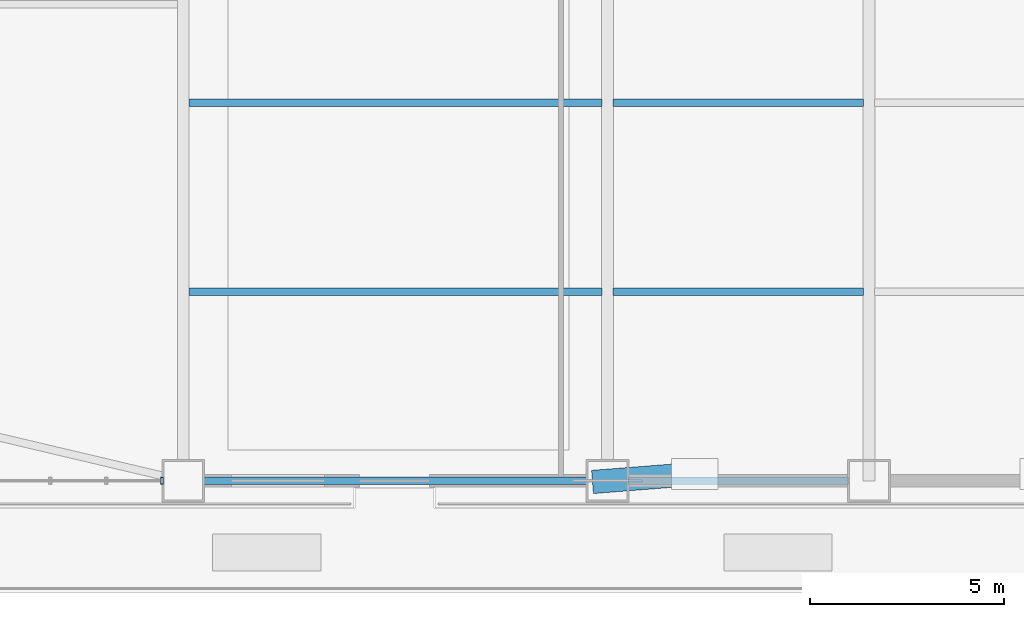
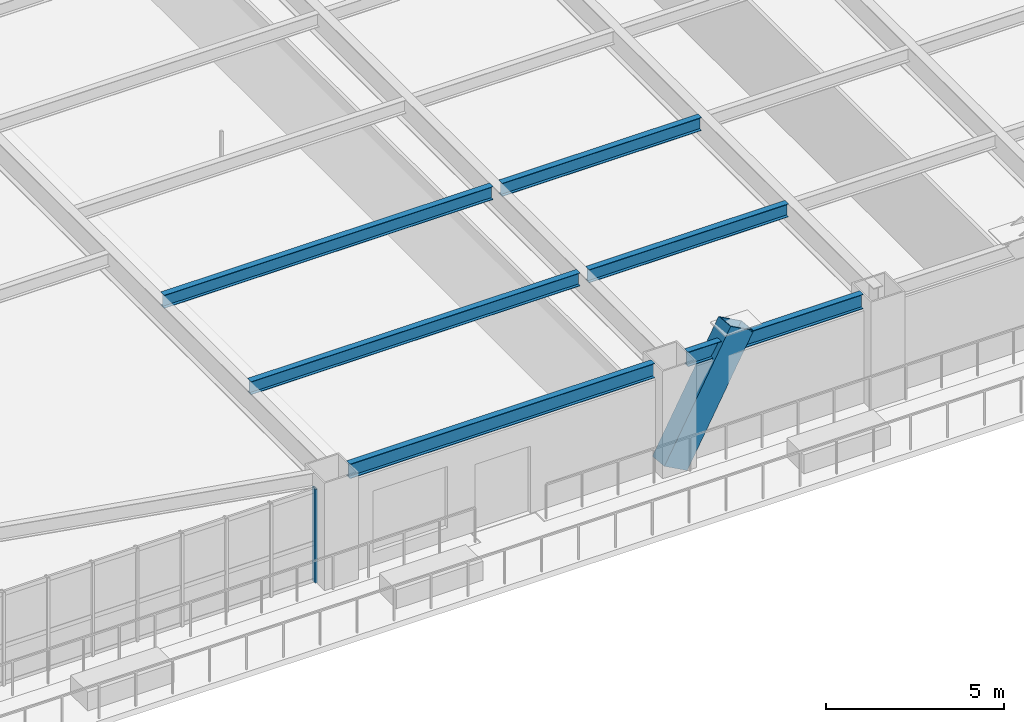
# One storey, part 4 of 17: 6 beams, 2 members, 1 element without a shape of its own.
"""IFC4 building model written with IfcOpenShell, lengths in metres."""

from ifc_helpers import new_model, si_unit, direction, frame, origin, origin_2d, place, context, subcontext, project, spatial, hollow_rectangle, i_section, extrude, source, transform, mapped, material, layer, layer_set, material_profile, profile_set, type_object, element, aggregate, save


model = new_model("IFC4")

# Units and contexts
model_context = context("Model", 3, precision=1e-05, world=origin(), true_north=direction((0.0, 1.0)))
body_context = subcontext(model_context, "Body", "Model", "MODEL_VIEW")
ifc_project = project(units=[si_unit("LENGTHUNIT", "METRE"), si_unit("AREAUNIT", "SQUARE_METRE"), si_unit("VOLUMEUNIT", "CUBIC_METRE"), si_unit("PLANEANGLEUNIT", "RADIAN"), si_unit("MASSUNIT", "GRAM", prefix="KILO")], contexts=[model_context])

# Site, building, storey
site_placement = place(None, origin())
site = spatial("IfcSite", under=ifc_project, at=site_placement, CompositionType="ELEMENT")
building_placement = place(site_placement, origin())
building = spatial("IfcBuilding", under=site, at=building_placement, Name="Giltprow Tower", CompositionType="ELEMENT")
storey_placement = place(building_placement, frame((0.0, 0.0, 25.39990234375)))
storey = spatial("IfcBuildingStorey", under=building, at=storey_placement, Name="L06", CompositionType="ELEMENT", Elevation=25.39990234375)

# Beams
ifc_material_1 = material(Name="Structural steel Q355B", Category="steel")
ifc_material_profile_1 = material_profile(ifc_material_1, i_section(OverallWidth=0.199951171875, OverallDepth=0.5, WebThickness=0.010009765625, FlangeThickness=0.01611328125, at=origin_2d()), Name="HN 500x200x10x16")
ifc_profile_set_1 = profile_set([ifc_material_profile_1], Name="Structural steel Q355B")
beam_type_1 = type_object("IfcBeamType", Name="BM-SPAN-HN500", PredefinedType="SPANDREL", material=ifc_profile_set_1)
shared_shape_1 = source(origin(), body_context, "Body", "SweptSolid", [
    extrude(i_section(OverallWidth=0.199951171875, OverallDepth=0.5, WebThickness=0.010009765625, FlangeThickness=0.01611328125, at=origin_2d()), origin(), (0.0, 0.0, 1.0), 9.8798828125),
])
beam_1_placement = place(storey_placement, frame((20.385009765625, 3.300048828125, 3.43017578125), z_axis=(1.0, 0.0, 0.0), x_axis=(0.0, 1.0, 0.0)))
element("IfcBeam", 1, at=beam_1_placement, inside=storey, type_object=beam_type_1, Name="L06 Perimeter Spandrel Beam S1-S2", PredefinedType="SPANDREL", context=body_context, shape_type="MappedRepresentation", body=[
    mapped(shared_shape_1, transform((0.0, 0.0, 0.0), x_axis=(1.0, 0.0, 0.0), y_axis=(0.0, 1.0, 0.0), z_axis=(0.0, 0.0, 1.0), scale=1.0)),
])
shared_shape_2 = source(origin(), body_context, "Body", "SweptSolid", [
    extrude(i_section(OverallWidth=0.199951171875, OverallDepth=0.5, WebThickness=0.010009765625, FlangeThickness=0.01611328125, at=origin_2d()), origin(), (0.0, 0.0, 1.0), 5.679931640625),
])
beam_2_placement = place(storey_placement, frame((31.3349609375, 3.300048828125, 3.43017578125), z_axis=(1.0, 0.0, 0.0), x_axis=(0.0, 1.0, 0.0)))
element("IfcBeam", 2, at=beam_2_placement, inside=storey, type_object=beam_type_1, Name="L06 Perimeter Spandrel Beam S2-S_MID", PredefinedType="SPANDREL", context=body_context, shape_type="MappedRepresentation", body=[
    mapped(shared_shape_2, transform((0.0, 0.0, 0.0), x_axis=(1.0, 0.0, 0.0), y_axis=(0.0, 1.0, 0.0), z_axis=(0.0, 0.0, 1.0), scale=1.0)),
])
ifc_material_profile_2 = material_profile(ifc_material_1, i_section(OverallWidth=0.199951171875, OverallDepth=0.449951171875, WebThickness=0.009033203125, FlangeThickness=0.013916015625, at=origin_2d()), Name="HN 450x200x9x14")
ifc_profile_set_2 = profile_set([ifc_material_profile_2], Name="Structural steel Q355B")
beam_type_2 = type_object("IfcBeamType", Name="BM-JOIST-HN450", PredefinedType="JOIST", material=ifc_profile_set_2)
shared_shape_3 = source(origin(), body_context, "Body", "SweptSolid", [
    extrude(i_section(OverallWidth=0.199951171875, OverallDepth=0.449951171875, WebThickness=0.009033203125, FlangeThickness=0.013916015625, at=origin_2d()), origin(), (0.0, 0.0, 1.0), 10.659912109375),
])
for number, where, z_axis, x_axis, name in (
    (3, (19.9951171875, 8.178955078125, 3.455078125), (1.0, 0.0, 0.0), (0.0, 1.0, 0.0), "L06 Composite Floor Joist 1-1"),
    (4, (19.9951171875, 13.056884765625, 3.455078125), (1.0, 0.0, 0.0), (0.0, 1.0, 0.0), "L06 Composite Floor Joist 2-1"),
):
    element("IfcBeam", number, at=place(storey_placement, frame(where, z_axis=z_axis, x_axis=x_axis)), inside=storey, type_object=beam_type_2, Name=name, PredefinedType="JOIST", context=body_context, shape_type="MappedRepresentation", body=[
        mapped(shared_shape_3, transform((0.0, 0.0, 0.0), x_axis=(1.0, 0.0, 0.0), y_axis=(0.0, 1.0, 0.0), z_axis=(0.0, 0.0, 1.0), scale=1.0)),
    ])
shared_shape_4 = source(origin(), body_context, "Body", "SweptSolid", [
    extrude(i_section(OverallWidth=0.199951171875, OverallDepth=0.449951171875, WebThickness=0.009033203125, FlangeThickness=0.013916015625, at=origin_2d()), origin(), (0.0, 0.0, 1.0), 6.4599609375),
])
for number, where, z_axis, x_axis, name in (
    (5, (30.945068359375, 8.178955078125, 3.455078125), (1.0, 0.0, 0.0), (0.0, 1.0, 0.0), "L06 Composite Floor Joist 1-2"),
    (6, (30.945068359375, 13.056884765625, 3.455078125), (1.0, 0.0, 0.0), (0.0, 1.0, 0.0), "L06 Composite Floor Joist 2-2"),
):
    element("IfcBeam", number, at=place(storey_placement, frame(where, z_axis=z_axis, x_axis=x_axis)), inside=storey, type_object=beam_type_2, Name=name, PredefinedType="JOIST", context=body_context, shape_type="MappedRepresentation", body=[
        mapped(shared_shape_4, transform((0.0, 0.0, 0.0), x_axis=(1.0, 0.0, 0.0), y_axis=(0.0, 1.0, 0.0), z_axis=(0.0, 0.0, 1.0), scale=1.0)),
    ])

# Member
ifc_material_2 = material(Name="Structural steel Q420GJC", Category="steel")
ifc_material_profile_3 = material_profile(ifc_material_2, hollow_rectangle(XDim=0.60009765625, YDim=0.89990234375, WallThickness=0.0400390625, at=origin_2d()), Name="RHS 900x600x40")
ifc_profile_set_3 = profile_set([ifc_material_profile_3], Name="Structural steel Q420GJC")
member_type_1 = type_object("IfcMemberType", Name="MBR-MEGA-RHS900", PredefinedType="BRACE", material=ifc_profile_set_3)
shared_shape_5 = source(origin(), body_context, "Body", "SweptSolid", [
    extrude(hollow_rectangle(XDim=0.60009765625, YDim=0.89990234375, WallThickness=0.0400390625, at=origin_2d()), origin(), (0.0, 0.0, 1.0), 4.506103515625),
])
member_1_placement = place(storey_placement, frame((30.800048828125, 3.300048828125, 0.0), z_axis=(0.499326947397, 0.039064098207, 0.865532550419), x_axis=(-0.077995186993, 0.996953735539, 0.0)))
element("IfcMember", 7, at=member_1_placement, inside=storey, type_object=member_type_1, Name="L06 Chevron Mega-Brace S-L", PredefinedType="BRACE", context=body_context, shape_type="MappedRepresentation", body=[
    mapped(shared_shape_5, transform((0.0, 0.0, 0.0), x_axis=(1.0, 0.0, 0.0), y_axis=(0.0, 1.0, 0.0), z_axis=(0.0, 0.0, 1.0), scale=1.0)),
])

# Curtain wall, member
ifc_material_3 = material(Name="Anodized bronze", Category="metal")
ifc_layer = layer(ifc_material_3, 0.179931640625, Name="Anodized bronze")
ifc_layer_set = layer_set([ifc_layer], Name="Anodized bronze")
curtain_wall_type = type_object("IfcCurtainWallType", Name="CW-SKYGARDEN", PredefinedType="NOTDEFINED", material=ifc_layer_set)
curtain_wall_placement = place(storey_placement, origin())
curtain_wall = element("IfcCurtainWall", 8, at=curtain_wall_placement, inside=storey, type_object=curtain_wall_type, Name="L06 South Recessed Curtain Wall 1", PredefinedType="NOTDEFINED")
ifc_material_profile_4 = material_profile(ifc_material_3, hollow_rectangle(XDim=0.074951171875, YDim=0.179931640625, WallThickness=0.008056640625, at=origin_2d()), Name="RHS 180x75x8")
ifc_profile_set_4 = profile_set([ifc_material_profile_4], Name="Anodized bronze")
member_type_2 = type_object("IfcMemberType", Name="CW-MULLION-180x75", PredefinedType="MULLION", material=ifc_profile_set_4)
shared_shape_6 = source(origin(), body_context, "Body", "SweptSolid", [
    extrude(hollow_rectangle(XDim=0.074951171875, YDim=0.179931640625, WallThickness=0.008056640625, at=origin_2d()), origin(), (0.0, 0.0, 1.0), 3.215087890625),
])
member_2_placement = place(storey_placement, frame((19.300048828125, 3.300048828125, -0.02001953125), z_axis=(0.0, 0.0, 1.0), x_axis=(1.0, 0.0, 0.0)))
member_2 = element("IfcMember", 9, at=member_2_placement, type_object=member_type_2, Name="L06 South Recessed Curtain Wall 1 Mullion 10", PredefinedType="MULLION", context=body_context, shape_type="MappedRepresentation", body=[
    mapped(shared_shape_6, transform((0.0, 0.0, 0.0), x_axis=(1.0, 0.0, 0.0), y_axis=(0.0, 1.0, 0.0), z_axis=(0.0, 0.0, 1.0), scale=1.0)),
])
aggregate(curtain_wall, [member_2])

save(model, "model.ifc")
